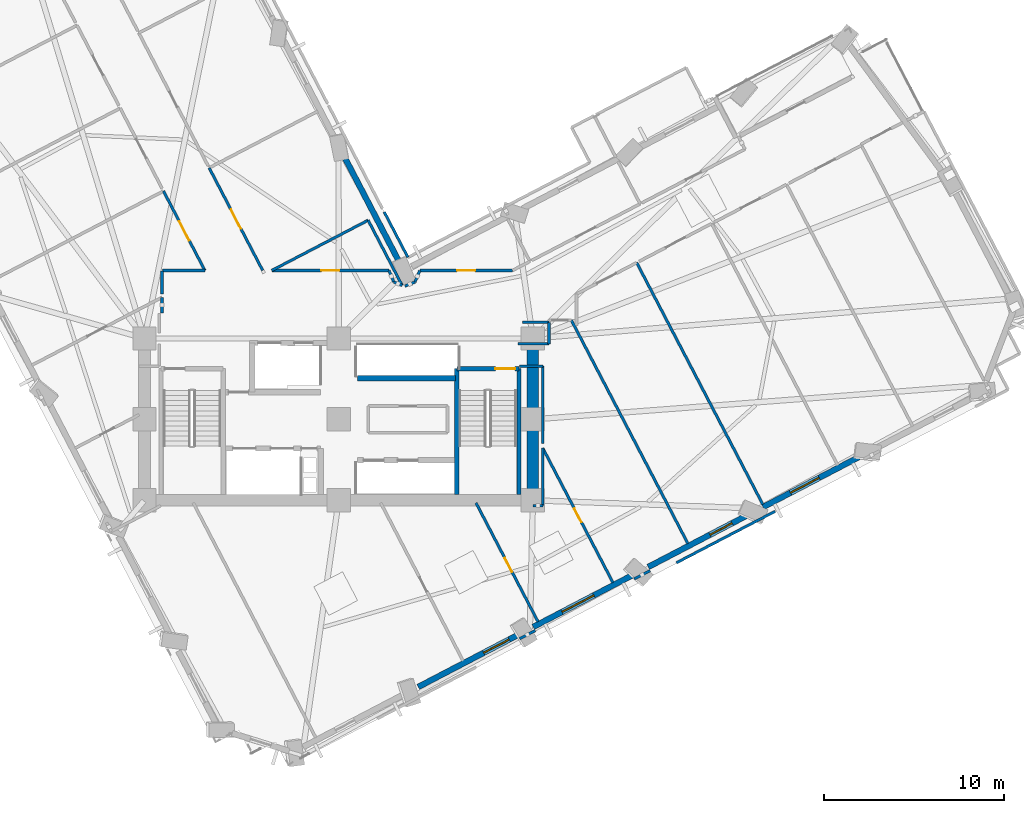
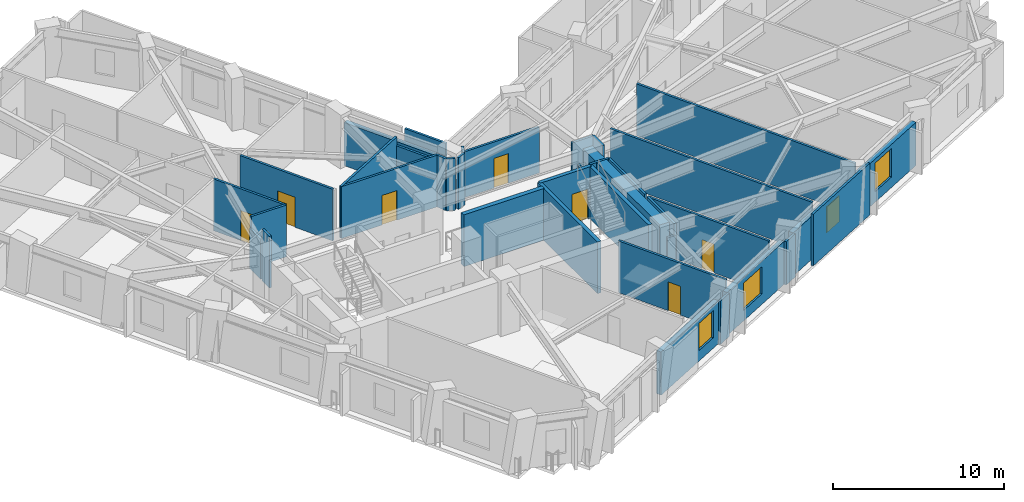
# One storey, part 9 of 16: 38 walls, 7 doors, 4 windows, 11 openings.
"""IFC4 building model written with IfcOpenShell, lengths in metres."""

from ifc_helpers import new_model, si_unit, direction, frame, frame_2d, origin, place, context, subcontext, project, spatial, rectangle, extrude, material, layer, layer_set, type_object, element, fill, save


model = new_model("IFC4")

# Units and contexts
model_context = context("Model", 3, precision=1e-05, world=origin(), true_north=direction((0.0, 1.0)))
body_context = subcontext(model_context, "Body", "Model", "MODEL_VIEW")
ifc_project = project(units=[si_unit("LENGTHUNIT", "METRE"), si_unit("AREAUNIT", "SQUARE_METRE"), si_unit("VOLUMEUNIT", "CUBIC_METRE"), si_unit("PLANEANGLEUNIT", "RADIAN"), si_unit("MASSUNIT", "GRAM", prefix="KILO")], contexts=[model_context])

# Site, building, storey
site_placement = place(None, origin())
site = spatial("IfcSite", under=ifc_project, at=site_placement, CompositionType="ELEMENT")
building_placement = place(site_placement, origin())
building = spatial("IfcBuilding", under=site, at=building_placement, Name="Gaonmaruhae Medical Tower", CompositionType="ELEMENT")
storey_placement = place(building_placement, frame((0.0, 0.0, 140.39990234375)))
storey = spatial("IfcBuildingStorey", under=building, at=storey_placement, Name="L33", CompositionType="ELEMENT", Elevation=140.39990234375)

# Wall
ifc_material_1 = material(Name="Concrete C60/75", Category="concrete")
ifc_layer_1 = layer(ifc_material_1, 0.64990234375)
ifc_layer_set_1 = layer_set([ifc_layer_1], Name="Concrete C60/75")
wall_type_1 = type_object("IfcWallType", Name="CW-650 Zone 2 Core Shear Wall", PredefinedType="SHEAR", material=ifc_layer_set_1)
wall_1_placement = place(storey_placement, frame((35.60009765625, 7.800048828125, 0.0), z_axis=(0.0, 0.0, 1.0), x_axis=(0.0, 1.0, 0.0)))
element("IfcWall", 1, at=wall_1_placement, inside=storey, type_object=wall_type_1, Name="L33 Core Shear Wall CSW-E1", PredefinedType="SHEAR", context=body_context, shape_type="SweptSolid", body=[
    extrude(rectangle(XDim=9.0, YDim=0.64990234375, at=frame_2d((4.5, 0.0))), origin(), (0.0, 0.0, 1.0), 3.7001953125),
])

# Wall, opening, window
ifc_material_2 = material(Name="Precast concrete C45/55", Category="concrete")
ifc_layer_2 = layer(ifc_material_2, 0.320068359375)
ifc_layer_set_2 = layer_set([ifc_layer_2], Name="Precast concrete C45/55")
wall_type_2 = type_object("IfcWallType", Name="EW-320 Lower Precast Masonry-Frame Facade Wall", PredefinedType="SOLIDWALL", material=ifc_layer_set_2)
wall_2_placement = place(storey_placement, frame((34.755126953125, 0.306884765625, 0.0), z_axis=(0.0, 0.0, 1.0), x_axis=(-0.886619757444, -0.462499087253, 0.0)))
wall_2 = element("IfcWall", 2, at=wall_2_placement, inside=storey, type_object=wall_type_2, Name="L33 Precast Masonry-Frame Wall S02-S03", PredefinedType="SOLIDWALL", context=body_context, shape_type="SweptSolid", body=[
    extrude(rectangle(XDim=6.234130859375, YDim=0.320068359375, at=frame_2d((3.1171875, 0.0))), origin(), (0.0, 0.0, 1.0), 3.085205078125),
])
opening_1_placement = place(wall_2_placement, frame((0.534423828125, 0.0, 0.75)))
opening_1 = element("IfcOpeningElement", 3, at=opening_1_placement, cuts=wall_2, Name="Opening WN-01", PredefinedType="OPENING", context=body_context, shape_type="SweptSolid", body=[
    extrude(rectangle(XDim=1.60009765625, YDim=1.949951171875, at=frame_2d((0.800048828125, 0.97509765625))), frame((0.0, 0.169921875, 0.0), z_axis=(0.0, -1.0, 0.0), x_axis=(1.0, 0.0, 0.0)), (0.0, 0.0, 1.0), 0.340087890625),
])
ifc_material_3 = material(Name="Anodised aluminium and Low-E double glazing", Category="aluminium")
window_type_1 = type_object("IfcWindowType", Name="WN-01 Ward Punched Acoustic Window 1600x1950", PartitioningType="SINGLE_PANEL", PredefinedType="WINDOW", material=ifc_material_3)
window_1_placement = place(opening_1_placement, origin())
window_1 = element("IfcWindow", 4, at=window_1_placement, inside=storey, type_object=window_type_1, Name="L33 Modular Facade Window S02", OverallHeight=1.949951171875, OverallWidth=1.60009765625, PartitioningType="SINGLE_PANEL", PredefinedType="WINDOW", context=body_context, shape_type="SweptSolid", body=[
    extrude(rectangle(XDim=1.60009765625, YDim=1.949951171875, at=frame_2d((0.800048828125, 0.97509765625))), frame((0.0, 0.030029296875, 0.0), z_axis=(0.0, -1.0, 0.0), x_axis=(1.0, 0.0, 0.0)), (0.0, 0.0, 1.0), 0.06005859375),
])
fill(opening_1, window_1)

wall_3_placement = place(storey_placement, frame((41.1328125, 3.634033203125, 0.0), z_axis=(0.0, 0.0, 1.0), x_axis=(-0.886602358558, -0.462532439726, 0.0)))
wall_3 = element("IfcWall", 5, at=wall_3_placement, inside=storey, type_object=wall_type_2, Name="L33 Precast Masonry-Frame Wall S03-S04", PredefinedType="SOLIDWALL", context=body_context, shape_type="SweptSolid", body=[
    extrude(rectangle(XDim=6.214111328125, YDim=0.320068359375, at=frame_2d((3.10693359375, 0.0))), origin(), (0.0, 0.0, 1.0), 3.085205078125),
])
opening_2_placement = place(wall_3_placement, frame((2.4189453125, 0.0, 0.75)))
opening_2 = element("IfcOpeningElement", 6, at=opening_2_placement, cuts=wall_3, Name="Opening WN-02", PredefinedType="OPENING", context=body_context, shape_type="SweptSolid", body=[
    extrude(rectangle(XDim=2.0, YDim=1.949951171875, at=frame_2d((1.0, 0.97509765625))), frame((0.0, 0.169921875, 0.0), z_axis=(0.0, -1.0, 0.0), x_axis=(1.0, 0.0, 0.0)), (0.0, 0.0, 1.0), 0.340087890625),
])
window_type_2 = type_object("IfcWindowType", Name="WN-02 Double-Bed Ward Punched Window 2000x1950", PartitioningType="SINGLE_PANEL", PredefinedType="WINDOW", material=ifc_material_3)
window_2_placement = place(opening_2_placement, origin())
window_2 = element("IfcWindow", 7, at=window_2_placement, inside=storey, type_object=window_type_2, Name="L33 Modular Facade Window S03", OverallHeight=1.949951171875, OverallWidth=2.0, PartitioningType="SINGLE_PANEL", PredefinedType="WINDOW", context=body_context, shape_type="SweptSolid", body=[
    extrude(rectangle(XDim=2.0, YDim=1.949951171875, at=frame_2d((1.0, 0.97509765625))), frame((0.0, 0.030029296875, 0.0), z_axis=(0.0, -1.0, 0.0), x_axis=(1.0, 0.0, 0.0)), (0.0, 0.0, 1.0), 0.06005859375),
])
fill(opening_2, window_2)

wall_4_placement = place(storey_placement, frame((47.516845703125, 6.96435546875, 0.0), z_axis=(0.0, 0.0, 1.0), x_axis=(-0.886603775461, -0.462529723734, 0.0)))
wall_4 = element("IfcWall", 8, at=wall_4_placement, inside=storey, type_object=wall_type_2, Name="L33 Precast Masonry-Frame Wall S04-S05", PredefinedType="SOLIDWALL", context=body_context, shape_type="SweptSolid", body=[
    extrude(rectangle(XDim=6.208984375, YDim=0.320068359375, at=frame_2d((3.1044921875, 0.0))), origin(), (0.0, 0.0, 1.0), 3.085205078125),
])
opening_3_placement = place(wall_4_placement, frame((0.93994140625, 0.0, 0.75)))
opening_3 = element("IfcOpeningElement", 9, at=opening_3_placement, cuts=wall_4, Name="Opening WN-03", PredefinedType="OPENING", context=body_context, shape_type="SweptSolid", body=[
    extrude(rectangle(XDim=1.39990234375, YDim=1.85009765625, at=frame_2d((0.699951171875, 0.925048828125))), frame((0.0, 0.169921875, 0.0), z_axis=(0.0, -1.0, 0.0), x_axis=(1.0, 0.0, 0.0)), (0.0, 0.0, 1.0), 0.340087890625),
])
window_type_3 = type_object("IfcWindowType", Name="WN-03 Isolation Ward Punched Window 1400x1850", PartitioningType="SINGLE_PANEL", PredefinedType="WINDOW", material=ifc_material_3)
window_3_placement = place(opening_3_placement, origin())
window_3 = element("IfcWindow", 10, at=window_3_placement, inside=storey, type_object=window_type_3, Name="L33 Modular Facade Window S04", OverallHeight=1.85009765625, OverallWidth=1.39990234375, PartitioningType="SINGLE_PANEL", PredefinedType="WINDOW", context=body_context, shape_type="SweptSolid", body=[
    extrude(rectangle(XDim=1.39990234375, YDim=1.85009765625, at=frame_2d((0.699951171875, 0.925048828125))), frame((0.0, 0.030029296875, 0.0), z_axis=(0.0, -1.0, 0.0), x_axis=(1.0, 0.0, 0.0)), (0.0, 0.0, 1.0), 0.06005859375),
])
fill(opening_3, window_3)

wall_5_placement = place(storey_placement, frame((53.9072265625, 10.298095703125, 0.0), z_axis=(0.0, 0.0, 1.0), x_axis=(-0.886615647117, -0.462506966745, 0.0)))
wall_5 = element("IfcWall", 11, at=wall_5_placement, inside=storey, type_object=wall_type_2, Name="L33 Precast Masonry-Frame Wall S05-S06", PredefinedType="SOLIDWALL", context=body_context, shape_type="SweptSolid", body=[
    extrude(rectangle(XDim=6.21826171875, YDim=0.320068359375, at=frame_2d((3.109130859375, 0.0))), origin(), (0.0, 0.0, 1.0), 3.085205078125),
])
opening_4_placement = place(wall_5_placement, frame((2.692138671875, 0.0, 0.75)))
opening_4 = element("IfcOpeningElement", 12, at=opening_4_placement, cuts=wall_5, Name="Opening WN-04", PredefinedType="OPENING", context=body_context, shape_type="SweptSolid", body=[
    extrude(rectangle(XDim=1.800048828125, YDim=2.050048828125, at=frame_2d((0.89990234375, 1.02490234375))), frame((0.0, 0.169921875, 0.0), z_axis=(0.0, -1.0, 0.0), x_axis=(1.0, 0.0, 0.0)), (0.0, 0.0, 1.0), 0.340087890625),
])
window_type_4 = type_object("IfcWindowType", Name="WN-04 Clinic & Consult Punched Window 1800x2050", PartitioningType="SINGLE_PANEL", PredefinedType="WINDOW", material=ifc_material_3)
window_4_placement = place(opening_4_placement, origin())
window_4 = element("IfcWindow", 13, at=window_4_placement, inside=storey, type_object=window_type_4, Name="L33 Modular Facade Window S05", OverallHeight=2.050048828125, OverallWidth=1.800048828125, PartitioningType="SINGLE_PANEL", PredefinedType="WINDOW", context=body_context, shape_type="SweptSolid", body=[
    extrude(rectangle(XDim=1.800048828125, YDim=2.050048828125, at=frame_2d((0.89990234375, 1.02490234375))), frame((0.0, 0.030029296875, 0.0), z_axis=(0.0, -1.0, 0.0), x_axis=(1.0, 0.0, 0.0)), (0.0, 0.0, 1.0), 0.06005859375),
])
fill(opening_4, window_4)

# Walls
wall_6_placement = place(storey_placement, frame((25.086181640625, 26.958740234375, 0.0), z_axis=(0.0, 0.0, 1.0), x_axis=(0.462504291383, -0.886617042726, 0.0)))
element("IfcWall", 14, at=wall_6_placement, inside=storey, type_object=wall_type_2, Name="L33 Precast Masonry-Frame Wall KN01-NE01", PredefinedType="SOLIDWALL", context=body_context, shape_type="SweptSolid", body=[
    extrude(rectangle(XDim=6.759765625, YDim=0.320068359375, at=frame_2d((3.3798828125, 0.0))), origin(), (0.0, 0.0, 1.0), 3.085205078125),
])
ifc_material_4 = material(Name="Gypsum board partition", Category="gypsum")
ifc_layer_3 = layer(ifc_material_4, 0.14990234375)
ifc_layer_set_3 = layer_set([ifc_layer_3], Name="Gypsum board partition")
wall_type_3 = type_object("IfcWallType", Name="PW-150 Rated Clinical Corridor Partition", PredefinedType="PARTITIONING", material=ifc_layer_set_3)
wall_7_placement = place(storey_placement, frame((35.72998046875, 0.555908203125, 0.0), z_axis=(0.0, 0.0, 1.0), x_axis=(-0.886562611736, -0.462608620188, 0.0)))
element("IfcWall", 15, at=wall_7_placement, inside=storey, type_object=wall_type_3, Name="L33 Interior Partition L33-SUP04-9", PredefinedType="PARTITIONING", context=body_context, shape_type="SweptSolid", body=[
    extrude(rectangle(XDim=0.97900390625, YDim=0.14990234375, at=frame_2d((0.489501953125, 0.0))), origin(), (0.0, 0.0, 1.0), 3.085205078125),
])

# Wall, opening, door
wall_8_placement = place(storey_placement, frame((32.43603515625, 7.657958984375, 0.0), z_axis=(0.0, 0.0, 1.0), x_axis=(0.462656662388, -0.886537541646, 0.0)))
wall_8 = element("IfcWall", 16, at=wall_8_placement, inside=storey, type_object=wall_type_3, Name="L33 Interior Partition L33-SUP04-10", PredefinedType="PARTITIONING", context=body_context, shape_type="SweptSolid", body=[
    extrude(rectangle(XDim=7.454833984375, YDim=0.14990234375, at=frame_2d((3.7275390625, 0.0))), origin(), (0.0, 0.0, 1.0), 3.7001953125),
])
opening_5_placement = place(wall_8_placement, frame((3.466552734375, 0.0, 0.0)))
opening_5 = element("IfcOpeningElement", 17, at=opening_5_placement, cuts=wall_8, Name="Opening AD-01", PredefinedType="OPENING", context=body_context, shape_type="SweptSolid", body=[
    extrude(rectangle(XDim=0.860107421875, YDim=2.06005859375, at=frame_2d((0.43017578125, 1.030029296875))), frame((0.0, 0.0849609375, 0.0), z_axis=(0.0, -1.0, 0.0), x_axis=(1.0, 0.0, 0.0)), (0.0, 0.0, 1.0), 0.169921875),
])
ifc_material_5 = material(Name="Powder-coated steel access door", Category="steel")
door_type_1 = type_object("IfcDoorType", Name="AD-01 Riser & Closet Access Fire Door 860x2060", OperationType="NOTDEFINED", PredefinedType="DOOR", material=ifc_material_5)
door_1_placement = place(opening_5_placement, origin())
door_1 = element("IfcDoor", 18, at=door_1_placement, inside=storey, type_object=door_type_1, Name="L33 Clinical Biomedical Charting Office Sliding Door", OperationType="SLIDING_TO_LEFT", OverallHeight=2.06005859375, OverallWidth=0.860107421875, PredefinedType="DOOR", context=body_context, shape_type="SweptSolid", body=[
    extrude(rectangle(XDim=0.860107421875, YDim=2.06005859375, at=frame_2d((0.43017578125, 1.030029296875))), frame((0.0, 0.02490234375, 0.0), z_axis=(0.0, -1.0, 0.0), x_axis=(1.0, 0.0, 0.0)), (0.0, 0.0, 1.0), 0.050048828125),
])
fill(opening_5, door_1)

wall_9_placement = place(storey_placement, frame((36.14990234375, 10.701904296875, 0.0), z_axis=(0.0, 0.0, 1.0), x_axis=(0.462566995769, -0.886584330126, 0.0)))
wall_9 = element("IfcWall", 19, at=wall_9_placement, inside=storey, type_object=wall_type_3, Name="L33 Interior Partition L33-SUP05-11", PredefinedType="PARTITIONING", context=body_context, shape_type="SweptSolid", body=[
    extrude(rectangle(XDim=8.435791015625, YDim=0.14990234375, at=frame_2d((4.2177734375, 0.0))), origin(), (0.0, 0.0, 1.0), 3.7001953125),
])
opening_6_placement = place(wall_9_placement, frame((3.787841796875, 0.0, 0.0)))
opening_6 = element("IfcOpeningElement", 20, at=opening_6_placement, cuts=wall_9, Name="Opening AD-01", PredefinedType="OPENING", context=body_context, shape_type="SweptSolid", body=[
    extrude(rectangle(XDim=0.860107421875, YDim=2.06005859375, at=frame_2d((0.43017578125, 1.030029296875))), frame((0.0, 0.0849609375, 0.0), z_axis=(0.0, -1.0, 0.0), x_axis=(1.0, 0.0, 0.0)), (0.0, 0.0, 1.0), 0.169921875),
])
door_2_placement = place(opening_6_placement, origin())
door_2 = element("IfcDoor", 21, at=door_2_placement, inside=storey, type_object=door_type_1, Name="L33 Clinical Biomedical Charting Office Sliding Door", OperationType="SLIDING_TO_LEFT", OverallHeight=2.06005859375, OverallWidth=0.860107421875, PredefinedType="DOOR", context=body_context, shape_type="SweptSolid", body=[
    extrude(rectangle(XDim=0.860107421875, YDim=2.06005859375, at=frame_2d((0.43017578125, 1.030029296875))), frame((0.0, 0.02490234375, 0.0), z_axis=(0.0, -1.0, 0.0), x_axis=(1.0, 0.0, 0.0)), (0.0, 0.0, 1.0), 0.050048828125),
])
fill(opening_6, door_2)

# Walls
wall_10_placement = place(storey_placement, frame((35.60009765625, 7.5, 0.0), z_axis=(0.0, 0.0, 1.0), x_axis=(1.0, 0.0, 0.0)))
element("IfcWall", 22, at=wall_10_placement, inside=storey, type_object=wall_type_3, Name="L33 Interior Partition L33-SUP05-12", PredefinedType="PARTITIONING", context=body_context, shape_type="SweptSolid", body=[
    extrude(rectangle(XDim=0.5498046875, YDim=0.14990234375, at=frame_2d((0.27490234375, 0.0))), origin(), (0.0, 0.0, 1.0), 2.885009765625),
])
wall_11_placement = place(storey_placement, frame((36.14990234375, 7.5, 0.0), z_axis=(0.0, 0.0, 1.0), x_axis=(0.0, 1.0, 0.0)))
element("IfcWall", 23, at=wall_11_placement, inside=storey, type_object=wall_type_3, Name="L33 Interior Partition L33-SUP05-13", PredefinedType="PARTITIONING", context=body_context, shape_type="SweptSolid", body=[
    extrude(rectangle(XDim=3.201904296875, YDim=0.14990234375, at=frame_2d((1.60107421875, 0.0))), origin(), (0.0, 0.0, 1.0), 3.7001953125),
])
wall_12_placement = place(storey_placement, frame((34.777099609375, 16.5, 0.0), z_axis=(0.0, 0.0, 1.0), x_axis=(1.0, 0.0, 0.0)))
element("IfcWall", 24, at=wall_12_placement, inside=storey, type_object=wall_type_3, Name="L33 Interior Partition L33-SUP06-14", PredefinedType="PARTITIONING", context=body_context, shape_type="SweptSolid", body=[
    extrude(rectangle(XDim=1.722900390625, YDim=0.14990234375, at=frame_2d((0.861328125, 0.0))), origin(), (0.0, 0.0, 1.0), 2.885009765625),
])
wall_13_placement = place(storey_placement, frame((36.5, 16.5, 0.0), z_axis=(0.0, 0.0, 1.0), x_axis=(0.0, 1.0, 0.0)))
element("IfcWall", 25, at=wall_13_placement, inside=storey, type_object=wall_type_3, Name="L33 Interior Partition L33-SUP06-15", PredefinedType="PARTITIONING", context=body_context, shape_type="SweptSolid", body=[
    extrude(rectangle(XDim=1.199951171875, YDim=0.14990234375, at=frame_2d((0.60009765625, 0.0))), origin(), (0.0, 0.0, 1.0), 3.7001953125),
])
wall_14_placement = place(storey_placement, frame((36.5, 17.699951171875, 0.0), z_axis=(0.0, 0.0, 1.0), x_axis=(-1.0, 0.0, 0.0)))
element("IfcWall", 26, at=wall_14_placement, inside=storey, type_object=wall_type_3, Name="L33 Interior Partition L33-SUP06-16", PredefinedType="PARTITIONING", context=body_context, shape_type="SweptSolid", body=[
    extrude(rectangle(XDim=1.48388671875, YDim=0.14990234375, at=frame_2d((0.741943359375, 0.0))), origin(), (0.0, 0.0, 1.0), 3.7001953125),
])
wall_15_placement = place(storey_placement, frame((37.738037109375, 17.820068359375, 0.0), z_axis=(0.0, 0.0, 1.0), x_axis=(0.462500508859, -0.886619015872, 0.0)))
element("IfcWall", 27, at=wall_15_placement, inside=storey, type_object=wall_type_3, Name="L33 Interior Partition L33-SUP06-18", PredefinedType="PARTITIONING", context=body_context, shape_type="SweptSolid", body=[
    extrude(rectangle(XDim=14.012939453125, YDim=0.14990234375, at=frame_2d((7.00634765625, 0.0))), origin(), (0.0, 0.0, 1.0), 3.7001953125),
])
wall_16_placement = place(storey_placement, frame((42.117919921875, 3.888916015625, 0.0), z_axis=(0.0, 0.0, 1.0), x_axis=(-0.886409168766, -0.462902565911, 0.0)))
element("IfcWall", 28, at=wall_16_placement, inside=storey, type_object=wall_type_3, Name="L33 Interior Partition L33-SUP06-19", PredefinedType="PARTITIONING", context=body_context, shape_type="SweptSolid", body=[
    extrude(rectangle(XDim=0.991455078125, YDim=0.14990234375, at=frame_2d((0.49560546875, 0.0))), origin(), (0.0, 0.0, 1.0), 3.085205078125),
])
wall_17_placement = place(storey_placement, frame((36.14990234375, 10.971923828125, 0.0), z_axis=(0.0, 0.0, 1.0), x_axis=(0.0, 1.0, 0.0)))
element("IfcWall", 29, at=wall_17_placement, inside=storey, type_object=wall_type_3, Name="L33 Interior Partition L33-SUP06-20", PredefinedType="PARTITIONING", context=body_context, shape_type="SweptSolid", body=[
    extrude(rectangle(XDim=4.2880859375, YDim=0.14990234375, at=frame_2d((2.14404296875, 0.0))), origin(), (0.0, 0.0, 1.0), 3.7001953125),
])
wall_18_placement = place(storey_placement, frame((36.14990234375, 15.260009765625, 0.0), z_axis=(0.0, 0.0, 1.0), x_axis=(-1.0, 0.0, 0.0)))
element("IfcWall", 30, at=wall_18_placement, inside=storey, type_object=wall_type_3, Name="L33 Interior Partition L33-SUP06-21", PredefinedType="PARTITIONING", context=body_context, shape_type="SweptSolid", body=[
    extrude(rectangle(XDim=1.2998046875, YDim=0.14990234375, at=frame_2d((0.64990234375, 0.0))), origin(), (0.0, 0.0, 1.0), 3.7001953125),
])
wall_19_placement = place(storey_placement, frame((41.3720703125, 21.014892578125, 0.0), z_axis=(0.0, 0.0, 1.0), x_axis=(0.46252584091, -0.88660580107, 0.0)))
element("IfcWall", 31, at=wall_19_placement, inside=storey, type_object=wall_type_3, Name="L33 Interior Partition L33-SUP07-24", PredefinedType="PARTITIONING", context=body_context, shape_type="SweptSolid", body=[
    extrude(rectangle(XDim=15.164306640625, YDim=0.14990234375, at=frame_2d((7.58203125, 0.0))), origin(), (0.0, 0.0, 1.0), 3.7001953125),
])
wall_20_placement = place(storey_placement, frame((14.969970703125, 19.0849609375, 0.0), z_axis=(0.0, 0.0, 1.0), x_axis=(0.0, -1.0, 0.0)))
element("IfcWall", 32, at=wall_20_placement, inside=storey, type_object=wall_type_3, Name="L33 Interior Partition L33-WCL12-43", PredefinedType="PARTITIONING", context=body_context, shape_type="SweptSolid", body=[
    extrude(rectangle(XDim=0.85498046875, YDim=0.14990234375, at=frame_2d((0.427490234375, 0.0))), origin(), (0.0, 0.0, 1.0), 3.7001953125),
])
wall_21_placement = place(storey_placement, frame((14.969970703125, 20.550048828125, 0.0), z_axis=(0.0, 0.0, 1.0), x_axis=(0.0, -1.0, 0.0)))
element("IfcWall", 33, at=wall_21_placement, inside=storey, type_object=wall_type_3, Name="L33 Interior Partition L33-WOF13-44", PredefinedType="PARTITIONING", context=body_context, shape_type="SweptSolid", body=[
    extrude(rectangle(XDim=1.283935546875, YDim=0.14990234375, at=frame_2d((0.64208984375, 0.0))), origin(), (0.0, 0.0, 1.0), 2.885009765625),
])

# Wall, opening, door
wall_22_placement = place(storey_placement, frame((15.056884765625, 24.99609375, 0.0), z_axis=(0.0, 0.0, 1.0), x_axis=(0.462442035221, -0.886649515908, 0.0)))
wall_22 = element("IfcWall", 34, at=wall_22_placement, inside=storey, type_object=wall_type_3, Name="L33 Interior Partition L33-WOF13-47", PredefinedType="PARTITIONING", context=body_context, shape_type="SweptSolid", body=[
    extrude(rectangle(XDim=4.98046875, YDim=0.14990234375, at=frame_2d((2.490234375, 0.0))), origin(), (0.0, 0.0, 1.0), 3.7001953125),
])
opening_7_placement = place(wall_22_placement, frame((1.89013671875, 0.0, 0.0)))
opening_7 = element("IfcOpeningElement", 35, at=opening_7_placement, cuts=wall_22, Name="Opening CD-02", PredefinedType="OPENING", context=body_context, shape_type="SweptSolid", body=[
    extrude(rectangle(XDim=1.199951171875, YDim=2.14990234375, at=frame_2d((0.60009765625, 1.074951171875))), frame((0.0, 0.0849609375, 0.0), z_axis=(0.0, -1.0, 0.0), x_axis=(1.0, 0.0, 0.0)), (0.0, 0.0, 1.0), 0.169921875),
])
ifc_material_6 = material(Name="Antimicrobial laminate timber fire door", Category="wood")
door_type_2 = type_object("IfcDoorType", Name="CD-02 Clinical Treatment & Procedure Door 1200x2150", OperationType="NOTDEFINED", PredefinedType="DOOR", material=ifc_material_6)
door_3_placement = place(opening_7_placement, origin())
door_3 = element("IfcDoor", 36, at=door_3_placement, inside=storey, type_object=door_type_2, Name="L33 Ward Physician Reporting Office Door", OperationType="SINGLE_SWING_LEFT", OverallHeight=2.14990234375, OverallWidth=1.199951171875, PredefinedType="DOOR", context=body_context, shape_type="SweptSolid", body=[
    extrude(rectangle(XDim=1.199951171875, YDim=2.14990234375, at=frame_2d((0.60009765625, 1.074951171875))), frame((0.0, 0.02490234375, 0.0), z_axis=(0.0, -1.0, 0.0), x_axis=(1.0, 0.0, 0.0)), (0.0, 0.0, 1.0), 0.050048828125),
])
fill(opening_7, door_3)

# Walls
wall_23_placement = place(storey_placement, frame((17.360107421875, 20.580078125, 0.0), z_axis=(0.0, 0.0, 1.0), x_axis=(-1.0, 0.0, 0.0)))
element("IfcWall", 37, at=wall_23_placement, inside=storey, type_object=wall_type_3, Name="L33 Interior Partition L33-WOF13-48", PredefinedType="PARTITIONING", context=body_context, shape_type="SweptSolid", body=[
    extrude(rectangle(XDim=2.363037109375, YDim=0.14990234375, at=frame_2d((1.181640625, 0.0))), origin(), (0.0, 0.0, 1.0), 3.7001953125),
])
wall_24_placement = place(storey_placement, frame((27.863037109375, 19.94091796875, 0.0), z_axis=(0.0, 0.0, 1.0), x_axis=(-0.387962564942, 0.921675131596, 0.0)))
element("IfcWall", 38, at=wall_24_placement, inside=storey, type_object=wall_type_3, Name="L33 Interior Partition L33-IE01-60", PredefinedType="PARTITIONING", context=body_context, shape_type="SweptSolid", body=[
    extrude(rectangle(XDim=0.693359375, YDim=0.14990234375, at=frame_2d((0.3466796875, 0.0))), origin(), (0.0, 0.0, 1.0), 3.7001953125),
])

# Wall, opening, door
wall_25_placement = place(storey_placement, frame((27.593994140625, 20.580078125, 0.0), z_axis=(0.0, 0.0, 1.0), x_axis=(-1.0, 0.0, 0.0)))
wall_25 = element("IfcWall", 39, at=wall_25_placement, inside=storey, type_object=wall_type_3, Name="L33 Interior Partition L33-IE01-61", PredefinedType="PARTITIONING", context=body_context, shape_type="SweptSolid", body=[
    extrude(rectangle(XDim=6.51611328125, YDim=0.14990234375, at=frame_2d((3.258056640625, 0.0))), origin(), (0.0, 0.0, 1.0), 3.7001953125),
])
opening_8_placement = place(wall_25_placement, frame((2.758056640625, 0.0, 0.0)))
opening_8 = element("IfcOpeningElement", 40, at=opening_8_placement, cuts=wall_25, Name="Opening CD-01", PredefinedType="OPENING", context=body_context, shape_type="SweptSolid", body=[
    extrude(rectangle(XDim=1.0, YDim=2.1201171875, at=frame_2d((0.5, 1.06005859375))), frame((0.0, 0.0849609375, 0.0), z_axis=(0.0, -1.0, 0.0), x_axis=(1.0, 0.0, 0.0)), (0.0, 0.0, 1.0), 0.169921875),
])
door_type_3 = type_object("IfcDoorType", Name="CD-01 Consultation & Physician Office Door 1000x2120", OperationType="NOTDEFINED", PredefinedType="DOOR", material=ifc_material_6)
door_4_placement = place(opening_8_placement, origin())
door_4 = element("IfcDoor", 41, at=door_4_placement, inside=storey, type_object=door_type_3, Name="L33 Central Clinical Nurse Station Door", OperationType="SINGLE_SWING_LEFT", OverallHeight=2.1201171875, OverallWidth=1.0, PredefinedType="DOOR", context=body_context, shape_type="SweptSolid", body=[
    extrude(rectangle(XDim=1.0, YDim=2.1201171875, at=frame_2d((0.5, 1.06005859375))), frame((0.0, 0.02490234375, 0.0), z_axis=(0.0, -1.0, 0.0), x_axis=(1.0, 0.0, 0.0)), (0.0, 0.0, 1.0), 0.050048828125),
])
fill(opening_8, door_4)

# Walls
wall_26_placement = place(storey_placement, frame((21.077880859375, 20.580078125, 0.0), z_axis=(0.0, 0.0, 1.0), x_axis=(0.886630926341, 0.46247767563, 0.0)))
element("IfcWall", 42, at=wall_26_placement, inside=storey, type_object=wall_type_3, Name="L33 Interior Partition L33-IE01-62", PredefinedType="PARTITIONING", context=body_context, shape_type="SweptSolid", body=[
    extrude(rectangle(XDim=6.04541015625, YDim=0.14990234375, at=frame_2d((3.022705078125, 0.0))), origin(), (0.0, 0.0, 1.0), 3.7001953125),
])
wall_27_placement = place(storey_placement, frame((26.43798828125, 23.3759765625, 0.0), z_axis=(0.0, 0.0, 1.0), x_axis=(0.462700527586, -0.886514648368, 0.0)))
element("IfcWall", 43, at=wall_27_placement, inside=storey, type_object=wall_type_3, Name="L33 Interior Partition L33-IE01-63", PredefinedType="PARTITIONING", context=body_context, shape_type="SweptSolid", body=[
    extrude(rectangle(XDim=4.093505859375, YDim=0.14990234375, at=frame_2d((2.046875, 0.0))), origin(), (0.0, 0.0, 1.0), 3.085205078125),
])
wall_28_placement = place(storey_placement, frame((28.33203125, 19.7470703125, 0.0), z_axis=(0.0, 0.0, 1.0), x_axis=(-0.924169144122, 0.381983498403, 0.0)))
element("IfcWall", 44, at=wall_28_placement, inside=storey, type_object=wall_type_3, Name="L33 Interior Partition L33-IE01-64", PredefinedType="PARTITIONING", context=body_context, shape_type="SweptSolid", body=[
    extrude(rectangle(XDim=0.507568359375, YDim=0.14990234375, at=frame_2d((0.25390625, 0.0))), origin(), (0.0, 0.0, 1.0), 3.7001953125),
])
wall_29_placement = place(storey_placement, frame((29.30810546875, 20.580078125, 0.0), z_axis=(0.0, 0.0, 1.0), x_axis=(-0.384364983418, -0.923181217054, 0.0)))
element("IfcWall", 45, at=wall_29_placement, inside=storey, type_object=wall_type_3, Name="L33 Interior Partition L33-IE02-65", PredefinedType="PARTITIONING", context=body_context, shape_type="SweptSolid", body=[
    extrude(rectangle(XDim=0.6923828125, YDim=0.14990234375, at=frame_2d((0.34619140625, 0.0))), origin(), (0.0, 0.0, 1.0), 3.7001953125),
])
wall_30_placement = place(storey_placement, frame((29.0419921875, 19.94091796875, 0.0), z_axis=(0.0, 0.0, 1.0), x_axis=(-0.92404649346, -0.382280104014, 0.0)))
element("IfcWall", 46, at=wall_30_placement, inside=storey, type_object=wall_type_3, Name="L33 Interior Partition L33-IE02-66", PredefinedType="PARTITIONING", context=body_context, shape_type="SweptSolid", body=[
    extrude(rectangle(XDim=0.6015625, YDim=0.14990234375, at=frame_2d((0.30078125, 0.0))), origin(), (0.0, 0.0, 1.0), 3.7001953125),
])
wall_31_placement = place(storey_placement, frame((27.33203125, 23.842041015625, 0.0), z_axis=(0.0, 0.0, 1.0), x_axis=(0.462536722732, -0.88660012414, 0.0)))
element("IfcWall", 47, at=wall_31_placement, inside=storey, type_object=wall_type_3, Name="L33 Interior Partition L33-IE02-67", PredefinedType="PARTITIONING", context=body_context, shape_type="SweptSolid", body=[
    extrude(rectangle(XDim=2.84912109375, YDim=0.14990234375, at=frame_2d((1.424560546875, 0.0))), origin(), (0.0, 0.0, 1.0), 3.7001953125),
])

# Wall, opening, door
wall_32_placement = place(storey_placement, frame((34.4619140625, 20.580078125, 0.0), z_axis=(0.0, 0.0, 1.0), x_axis=(-1.0, 0.0, 0.0)))
wall_32 = element("IfcWall", 48, at=wall_32_placement, inside=storey, type_object=wall_type_3, Name="L33 Interior Partition L33-IE02-71", PredefinedType="PARTITIONING", context=body_context, shape_type="SweptSolid", body=[
    extrude(rectangle(XDim=5.15380859375, YDim=0.14990234375, at=frame_2d((2.576904296875, 0.0))), origin(), (0.0, 0.0, 1.0), 3.28515625),
])
opening_9_placement = place(wall_32_placement, frame((2.076904296875, 0.0, 0.0)))
opening_9 = element("IfcOpeningElement", 49, at=opening_9_placement, cuts=wall_32, Name="Opening CD-01", PredefinedType="OPENING", context=body_context, shape_type="SweptSolid", body=[
    extrude(rectangle(XDim=1.0, YDim=2.1201171875, at=frame_2d((0.5, 1.06005859375))), frame((0.0, 0.0849609375, 0.0), z_axis=(0.0, -1.0, 0.0), x_axis=(1.0, 0.0, 0.0)), (0.0, 0.0, 1.0), 0.169921875),
])
door_5_placement = place(opening_9_placement, origin())
door_5 = element("IfcDoor", 50, at=door_5_placement, inside=storey, type_object=door_type_3, Name="L33 Acute Treatment Examination Room Door", OperationType="SINGLE_SWING_RIGHT", OverallHeight=2.1201171875, OverallWidth=1.0, PredefinedType="DOOR", context=body_context, shape_type="SweptSolid", body=[
    extrude(rectangle(XDim=1.0, YDim=2.1201171875, at=frame_2d((0.5, 1.06005859375))), frame((0.0, 0.02490234375, 0.0), z_axis=(0.0, -1.0, 0.0), x_axis=(1.0, 0.0, 0.0)), (0.0, 0.0, 1.0), 0.050048828125),
])
fill(opening_9, door_5)

wall_33_placement = place(storey_placement, frame((20.574951171875, 20.580078125, 0.0), z_axis=(0.0, 0.0, 1.0), x_axis=(-0.462501194351, 0.886618658288, 0.0)))
wall_33 = element("IfcWall", 51, at=wall_33_placement, inside=storey, type_object=wall_type_3, Name="L33 Interior Partition L33-IN01-86", PredefinedType="PARTITIONING", context=body_context, shape_type="SweptSolid", body=[
    extrude(rectangle(XDim=6.436767578125, YDim=0.14990234375, at=frame_2d((3.21826171875, 0.0))), origin(), (0.0, 0.0, 1.0), 3.7001953125),
])
opening_10_placement = place(wall_33_placement, frame((2.618408203125, 0.0, 0.0)))
opening_10 = element("IfcOpeningElement", 52, at=opening_10_placement, cuts=wall_33, Name="Opening CD-02", PredefinedType="OPENING", context=body_context, shape_type="SweptSolid", body=[
    extrude(rectangle(XDim=1.199951171875, YDim=2.14990234375, at=frame_2d((0.60009765625, 1.074951171875))), frame((0.0, 0.0849609375, 0.0), z_axis=(0.0, -1.0, 0.0), x_axis=(1.0, 0.0, 0.0)), (0.0, 0.0, 1.0), 0.169921875),
])
door_6_placement = place(opening_10_placement, origin())
door_6 = element("IfcDoor", 53, at=door_6_placement, inside=storey, type_object=door_type_2, Name="L33 Physician Consultation Office Door", OperationType="SINGLE_SWING_RIGHT", OverallHeight=2.14990234375, OverallWidth=1.199951171875, PredefinedType="DOOR", context=body_context, shape_type="SweptSolid", body=[
    extrude(rectangle(XDim=1.199951171875, YDim=2.14990234375, at=frame_2d((0.60009765625, 1.074951171875))), frame((0.0, 0.02490234375, 0.0), z_axis=(0.0, -1.0, 0.0), x_axis=(1.0, 0.0, 0.0)), (0.0, 0.0, 1.0), 0.050048828125),
])
fill(opening_10, door_6)

# Wall
wall_34_placement = place(storey_placement, frame((49.070068359375, 7.18798828125, 0.0), z_axis=(0.0, 0.0, 1.0), x_axis=(-0.886603833565, -0.462529612359, 0.0)))
element("IfcWall", 54, at=wall_34_placement, inside=storey, type_object=wall_type_3, Name="L33 Interior Partition L33-RM04-102", PredefinedType="PARTITIONING", context=body_context, shape_type="SweptSolid", body=[
    extrude(rectangle(XDim=6.18994140625, YDim=0.14990234375, at=frame_2d((3.094970703125, 0.0))), origin(), (0.0, 0.0, 1.0), 3.7001953125),
])

# Wall, opening, door
ifc_material_7 = material(Name="Concrete C50/60", Category="concrete")
ifc_layer_4 = layer(ifc_material_7, 0.239990234375)
ifc_layer_set_4 = layer_set([ifc_layer_4], Name="Concrete C50/60")
wall_type_4 = type_object("IfcWallType", Name="SW-240 Dogleg Stair Tight Shaft Wall", PredefinedType="SOLIDWALL", material=ifc_layer_set_4)
wall_35_placement = place(storey_placement, frame((31.3701171875, 15.1201171875, 0.0), z_axis=(0.0, 0.0, 1.0), x_axis=(1.0, 0.0, 0.0)))
wall_35 = element("IfcWall", 55, at=wall_35_placement, inside=storey, type_object=wall_type_4, Name="L33 ST-02 Stair Shaft Wall SHW-ST-02-N", PredefinedType="SOLIDWALL", context=body_context, shape_type="SweptSolid", body=[
    extrude(rectangle(XDim=3.4599609375, YDim=0.239990234375, at=frame_2d((1.72998046875, 0.0))), origin(), (0.0, 0.0, 1.0), 3.7001953125),
])
opening_11_placement = place(wall_35_placement, frame((2.139892578125, 0.0, 0.0)))
opening_11 = element("IfcOpeningElement", 56, at=opening_11_placement, cuts=wall_35, Name="Opening FD-01", PredefinedType="OPENING", context=body_context, shape_type="SweptSolid", body=[
    extrude(rectangle(XDim=1.10009765625, YDim=2.14990234375, at=frame_2d((0.550048828125, 1.074951171875))), frame((0.0, 0.1298828125, 0.0), z_axis=(0.0, -1.0, 0.0), x_axis=(1.0, 0.0, 0.0)), (0.0, 0.0, 1.0), 0.260009765625),
])
ifc_material_8 = material(Name="Powder-coated steel fire door", Category="steel")
door_type_4 = type_object("IfcDoorType", Name="FD-01 Escape Stair Protected Fire Door 1100x2150", OperationType="NOTDEFINED", PredefinedType="DOOR", material=ifc_material_8)
door_7_placement = place(opening_11_placement, origin())
door_7 = element("IfcDoor", 57, at=door_7_placement, inside=storey, type_object=door_type_4, Name="L33 ST-02 Protected Escape Stair Door", OperationType="SINGLE_SWING_RIGHT", OverallHeight=2.14990234375, OverallWidth=1.10009765625, PredefinedType="DOOR", context=body_context, shape_type="SweptSolid", body=[
    extrude(rectangle(XDim=1.10009765625, YDim=2.14990234375, at=frame_2d((0.550048828125, 1.074951171875))), frame((0.0, 0.02490234375, 0.0), z_axis=(0.0, -1.0, 0.0), x_axis=(1.0, 0.0, 0.0)), (0.0, 0.0, 1.0), 0.050048828125),
])
fill(opening_11, door_7)

# Walls
for number, where, z_axis, x_axis, name in (
    (58, (34.830078125, 15.1201171875, 0.0), (0.0, 0.0, 1.0), (0.0, -1.0, 0.0), "L33 ST-02 Stair Shaft Wall SHW-ST-02-E"),
    (59, (31.3701171875, 8.125, 0.0), (0.0, 0.0, 1.0), (0.0, 1.0, 0.0), "L33 ST-02 Stair Shaft Wall SHW-ST-02-W"),
):
    element("IfcWall", number, at=place(storey_placement, frame(where, z_axis=z_axis, x_axis=x_axis)), inside=storey, type_object=wall_type_4, Name=name, PredefinedType="SOLIDWALL", context=body_context, shape_type="SweptSolid", body=[
        extrude(rectangle(XDim=6.9951171875, YDim=0.239990234375, at=frame_2d((3.49755859375, 0.0))), origin(), (0.0, 0.0, 1.0), 3.7001953125),
    ])
ifc_layer_5 = layer(ifc_material_7, 0.300048828125)
ifc_layer_set_5 = layer_set([ifc_layer_5], Name="Concrete C50/60")
wall_type_5 = type_object("IfcWallType", Name="SW-300 Stair & Lift Hoistway Shaft Wall", PredefinedType="SOLIDWALL", material=ifc_layer_set_5)
wall_36_placement = place(storey_placement, frame((25.85009765625, 14.580078125, 0.0), z_axis=(0.0, 0.0, 1.0), x_axis=(1.0, 0.0, 0.0)))
element("IfcWall", 60, at=wall_36_placement, inside=storey, type_object=wall_type_5, Name="L33 Shaft Enclosure Wall SHW-PLN", PredefinedType="SOLIDWALL", context=body_context, shape_type="SweptSolid", body=[
    extrude(rectangle(XDim=5.449951171875, YDim=0.300048828125, at=frame_2d((2.72509765625, 0.0))), origin(), (0.0, 0.0, 1.0), 3.7001953125),
])

save(model, "model.ifc")
